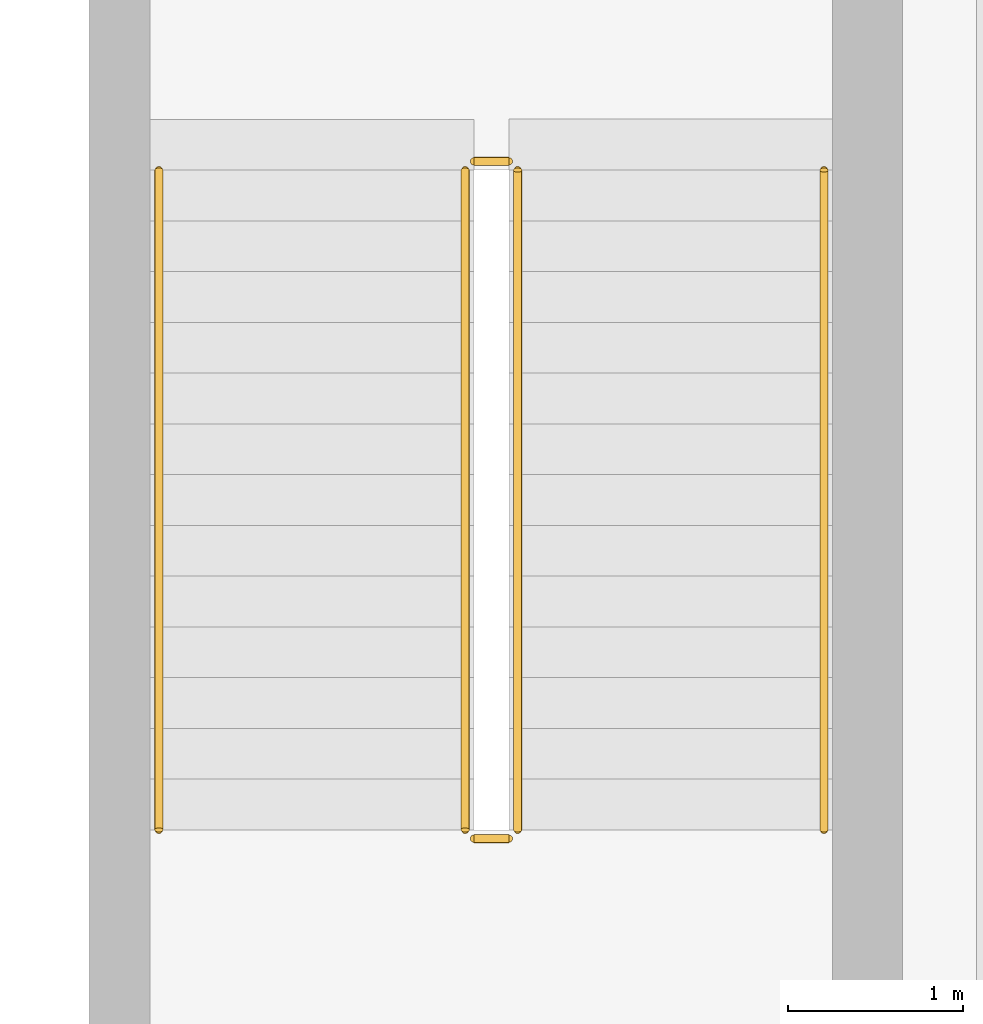
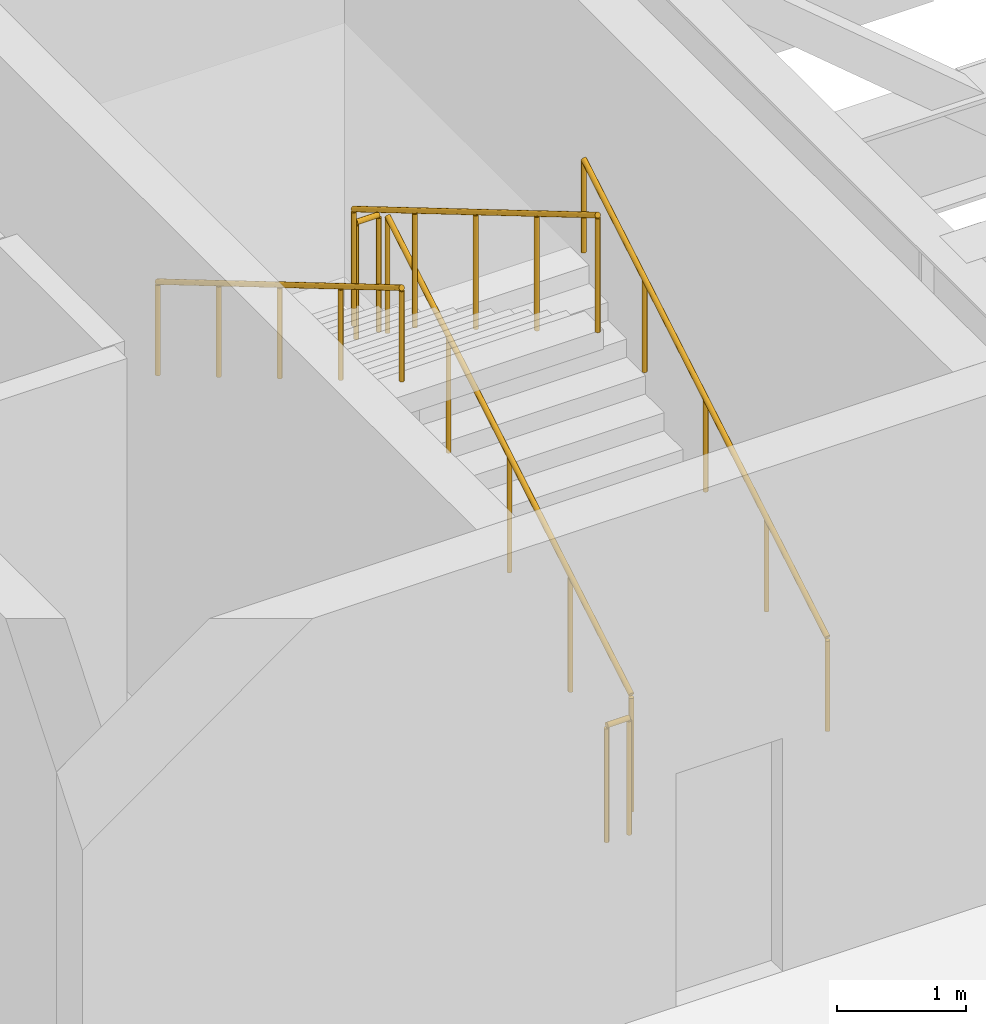
# One storey, part 86 of 91: 6 railings.
"""IFC4 building model written with IfcOpenShell, lengths in metres."""

from ifc_helpers import new_model, si_unit, direction, frame, origin, origin_2d, place, context, subcontext, project, spatial, circle, extrude, material, type_object, element, save


model = new_model("IFC4")

# Units and contexts
model_context = context("Model", 3, precision=1e-05, world=origin(), true_north=direction((0.0, 1.0)))
body_context = subcontext(model_context, "Body", "Model", "MODEL_VIEW")
ifc_project = project(units=[si_unit("LENGTHUNIT", "METRE"), si_unit("AREAUNIT", "SQUARE_METRE"), si_unit("VOLUMEUNIT", "CUBIC_METRE"), si_unit("PLANEANGLEUNIT", "RADIAN"), si_unit("MASSUNIT", "GRAM", prefix="KILO")], contexts=[model_context])

# Site, building, storey
site_placement = place(None, origin())
site = spatial("IfcSite", under=ifc_project, at=site_placement, CompositionType="ELEMENT")
building_placement = place(site_placement, origin())
building = spatial("IfcBuilding", under=site, at=building_placement, Name="Sollismere Congress Hotel", CompositionType="ELEMENT")
storey_placement = place(building_placement, frame((0.0, 0.0, 10.800048828125)))
storey = spatial("IfcBuildingStorey", under=building, at=storey_placement, Name="L02", CompositionType="ELEMENT", Elevation=10.800048828125)

# Railings
ifc_material_1 = material(Name="Steel ASTM A500 Grade C", Category="steel")
railing_type_1 = type_object("IfcRailingType", Name="RL-GRD112", PredefinedType="GUARDRAIL", material=ifc_material_1)
railing_1_placement = place(storey_placement, frame((15.199951171875, 58.449951171875, 0.17138671875)))
element("IfcRailing", 1, at=railing_1_placement, inside=storey, type_object=railing_type_1, Name="RLG-RG-ST-05-L02-1", PredefinedType="GUARDRAIL", context=body_context, shape_type="SweptSolid", body=[
    extrude(circle(Radius=0.02392578125, at=origin_2d()), frame((0.0, 0.0, 1.09619140625), z_axis=(0.0, 0.860848830602, 0.508860777473), x_axis=(-1.0, 0.0, 0.0)), (0.0, 0.0, 1.0), 4.37939453125),
    extrude(circle(Radius=0.02099609375, at=origin_2d()), origin(), (0.0, 0.0, 1.0), 1.072021484375),
    extrude(circle(Radius=0.02099609375, at=origin_2d()), frame((0.0, 0.9423828125, 0.55712890625)), (0.0, 0.0, 1.0), 1.072021484375),
    extrude(circle(Radius=0.02099609375, at=origin_2d()), frame((0.0, 1.885009765625, 1.1142578125)), (0.0, 0.0, 1.0), 1.072021484375),
    extrude(circle(Radius=0.02099609375, at=origin_2d()), frame((0.0, 2.82763671875, 1.67138671875)), (0.0, 0.0, 1.0), 1.072021484375),
    extrude(circle(Radius=0.02099609375, at=origin_2d()), frame((0.0, 3.77001953125, 2.228515625)), (0.0, 0.0, 1.0), 1.072021484375),
])
railing_2_placement = place(storey_placement, frame((15.14990234375, 62.27001953125, 2.39990234375)))
element("IfcRailing", 2, at=railing_2_placement, inside=storey, type_object=railing_type_1, Name="RLG-RG-ST-05-L02-2", PredefinedType="GUARDRAIL", context=body_context, shape_type="SweptSolid", body=[
    extrude(circle(Radius=0.02392578125, at=origin_2d()), frame((0.0, 0.0, 1.09619140625), z_axis=(-1.0, 0.0, 0.0), x_axis=(0.0, -1.0, 0.0)), (0.0, 0.0, 1.0), 0.199951171875),
    extrude(circle(Radius=0.02099609375, at=origin_2d()), origin(), (0.0, 0.0, 1.0), 1.072021484375),
    extrude(circle(Radius=0.02099609375, at=origin_2d()), frame((-0.199951171875, 0.0, 0.0)), (0.0, 0.0, 1.0), 1.072021484375),
])
railing_3_placement = place(storey_placement, frame((14.89990234375, 62.219970703125, 2.5712890625)))
element("IfcRailing", 3, at=railing_3_placement, inside=storey, type_object=railing_type_1, Name="RLG-RG-ST-05-L02-3", PredefinedType="GUARDRAIL", context=body_context, shape_type="SweptSolid", body=[
    extrude(circle(Radius=0.02392578125, at=origin_2d()), frame((0.0, 0.0, 1.09619140625), z_axis=(0.0, -0.860824410104, 0.508902087802), x_axis=(1.0, 0.0, 0.0)), (0.0, 0.0, 1.0), 4.379638671875),
    extrude(circle(Radius=0.02099609375, at=origin_2d()), origin(), (0.0, 0.0, 1.0), 1.072021484375),
    extrude(circle(Radius=0.02099609375, at=origin_2d()), frame((0.0, -0.9423828125, 0.55712890625)), (0.0, 0.0, 1.0), 1.072021484375),
    extrude(circle(Radius=0.02099609375, at=origin_2d()), frame((0.0, -1.885009765625, 1.1142578125)), (0.0, 0.0, 1.0), 1.072021484375),
    extrude(circle(Radius=0.02099609375, at=origin_2d()), frame((0.0, -2.82763671875, 1.671630859375)), (0.0, 0.0, 1.0), 1.072021484375),
    extrude(circle(Radius=0.02099609375, at=origin_2d()), frame((0.0, -3.77001953125, 2.228759765625)), (0.0, 0.0, 1.0), 1.072021484375),
])
railing_4_placement = place(storey_placement, frame((15.14990234375, 58.39990234375, 0.0)))
element("IfcRailing", 4, at=railing_4_placement, inside=storey, type_object=railing_type_1, Name="RLG-RG-ST-05-L02-4", PredefinedType="GUARDRAIL", context=body_context, shape_type="SweptSolid", body=[
    extrude(circle(Radius=0.02392578125, at=origin_2d()), frame((0.0, 0.0, 1.09619140625), z_axis=(-1.0, 0.0, 0.0), x_axis=(0.0, -1.0, 0.0)), (0.0, 0.0, 1.0), 0.199951171875),
    extrude(circle(Radius=0.02099609375, at=origin_2d()), origin(), (0.0, 0.0, 1.0), 1.072021484375),
    extrude(circle(Radius=0.02099609375, at=origin_2d()), frame((-0.199951171875, 0.0, 0.0)), (0.0, 0.0, 1.0), 1.072021484375),
])
ifc_material_2 = material(Name="Brushed Architectural Bronze")
railing_type_2 = type_object("IfcRailingType", Name="RL-HND90", PredefinedType="HANDRAIL", material=ifc_material_2)
railing_5_placement = place(storey_placement, frame((16.949951171875, 58.449951171875, 0.31884765625)))
element("IfcRailing", 5, at=railing_5_placement, inside=storey, type_object=railing_type_2, Name="RLG-RH-ST-05-L02-1", PredefinedType="HANDRAIL", context=body_context, shape_type="SweptSolid", body=[
    extrude(circle(Radius=0.02392578125, at=origin_2d()), frame((0.0, 0.0, 0.8759765625), z_axis=(0.0, 0.860848830602, 0.508860777473), x_axis=(-1.0, 0.0, 0.0)), (0.0, 0.0, 1.0), 4.37939453125),
    extrude(circle(Radius=0.02099609375, at=origin_2d()), origin(), (0.0, 0.0, 1.0), 0.851806640625),
    extrude(circle(Radius=0.02099609375, at=origin_2d()), frame((0.0, 0.9423828125, 0.55712890625)), (0.0, 0.0, 1.0), 0.851806640625),
    extrude(circle(Radius=0.02099609375, at=origin_2d()), frame((0.0, 1.885009765625, 1.1142578125)), (0.0, 0.0, 1.0), 0.851806640625),
    extrude(circle(Radius=0.02099609375, at=origin_2d()), frame((0.0, 2.82763671875, 1.67138671875)), (0.0, 0.0, 1.0), 0.851806640625),
    extrude(circle(Radius=0.02099609375, at=origin_2d()), frame((0.0, 3.77001953125, 2.228515625)), (0.0, 0.0, 1.0), 0.851806640625),
])
railing_6_placement = place(storey_placement, frame((13.14990234375, 62.219970703125, 2.71875)))
element("IfcRailing", 6, at=railing_6_placement, inside=storey, type_object=railing_type_2, Name="RLG-RH-ST-05-L02-2", PredefinedType="HANDRAIL", context=body_context, shape_type="SweptSolid", body=[
    extrude(circle(Radius=0.02392578125, at=origin_2d()), frame((0.0, 0.0, 0.8759765625), z_axis=(0.0, -0.860848830602, 0.508860777473), x_axis=(1.0, 0.0, 0.0)), (0.0, 0.0, 1.0), 4.37939453125),
    extrude(circle(Radius=0.02099609375, at=origin_2d()), origin(), (0.0, 0.0, 1.0), 0.851806640625),
    extrude(circle(Radius=0.02099609375, at=origin_2d()), frame((0.0, -0.9423828125, 0.55712890625)), (0.0, 0.0, 1.0), 0.851806640625),
    extrude(circle(Radius=0.02099609375, at=origin_2d()), frame((0.0, -1.885009765625, 1.1142578125)), (0.0, 0.0, 1.0), 0.851806640625),
    extrude(circle(Radius=0.02099609375, at=origin_2d()), frame((0.0, -2.82763671875, 1.67138671875)), (0.0, 0.0, 1.0), 0.851806640625),
    extrude(circle(Radius=0.02099609375, at=origin_2d()), frame((0.0, -3.77001953125, 2.228515625)), (0.0, 0.0, 1.0), 0.851806640625),
])

save(model, "model.ifc")
